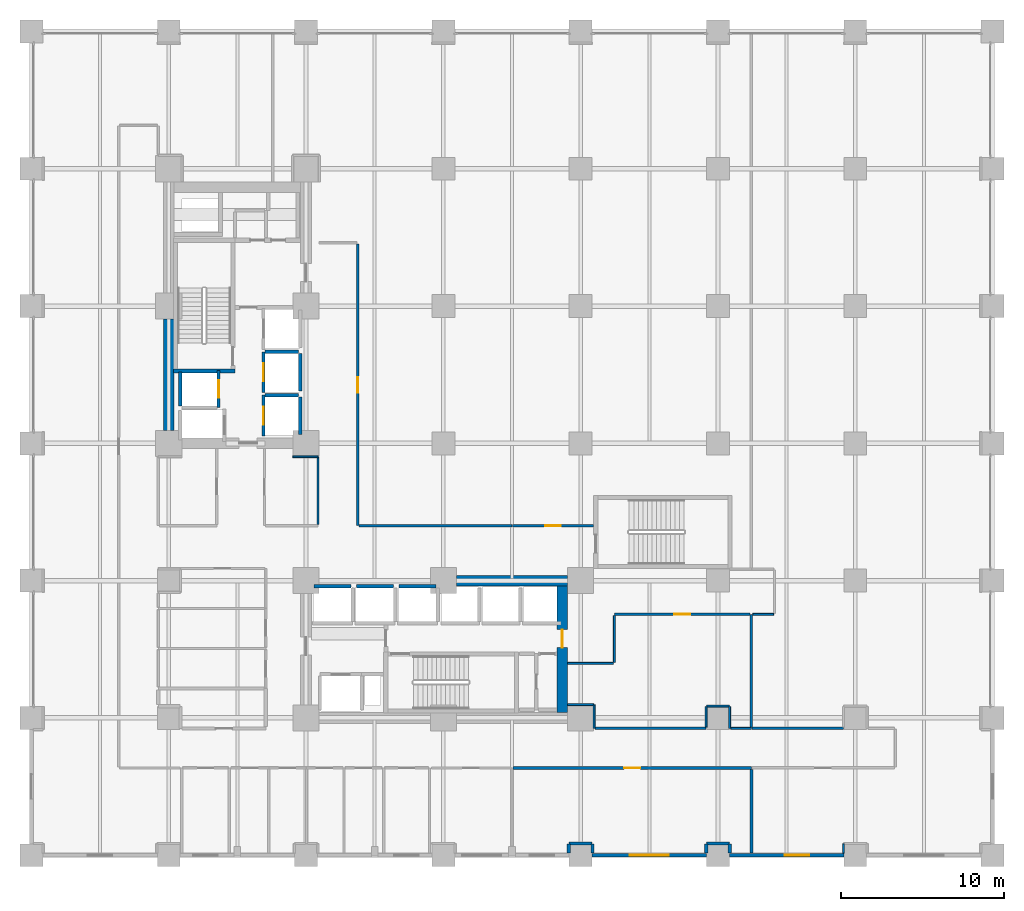
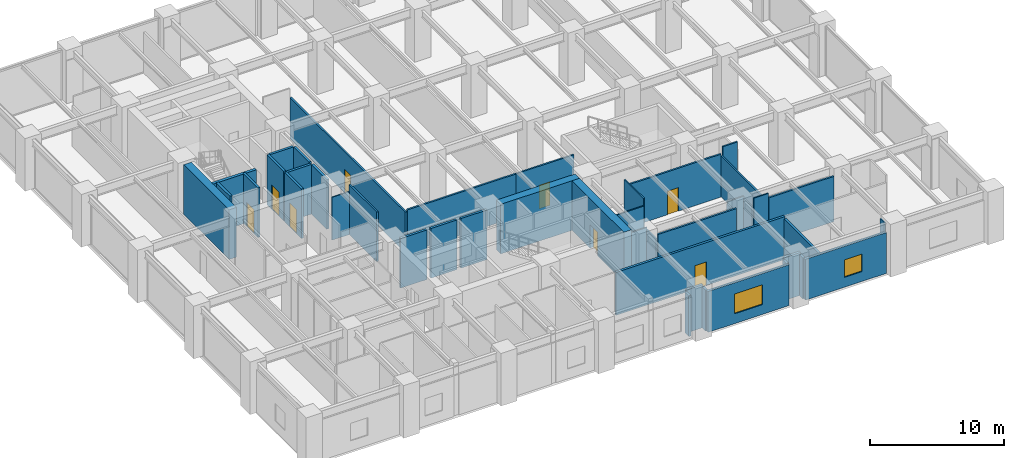
# One storey, part 21 of 24: 44 walls, 8 doors, 2 windows, 10 openings.
"""IFC4 building model written with IfcOpenShell, lengths in metres."""

from ifc_helpers import new_model, si_unit, direction, frame, frame_2d, origin, place, context, subcontext, project, spatial, rectangle, extrude, material, layer, layer_set, type_object, element, fill, save


model = new_model("IFC4")

# Units and contexts
model_context = context("Model", 3, precision=1e-05, world=origin(), true_north=direction((0.0, 1.0)))
body_context = subcontext(model_context, "Body", "Model", "MODEL_VIEW")
ifc_project = project(units=[si_unit("LENGTHUNIT", "METRE"), si_unit("AREAUNIT", "SQUARE_METRE"), si_unit("VOLUMEUNIT", "CUBIC_METRE"), si_unit("PLANEANGLEUNIT", "RADIAN"), si_unit("MASSUNIT", "GRAM", prefix="KILO")], contexts=[model_context])

# Site, building, storey
site_placement = place(None, origin())
site = spatial("IfcSite", under=ifc_project, at=site_placement, CompositionType="ELEMENT")
building_placement = place(site_placement, origin())
building = spatial("IfcBuilding", under=site, at=building_placement, Name="Nerrivon Quay Data Exchange", CompositionType="ELEMENT")
storey_placement = place(building_placement, frame((0.0, 0.0, 10.199951171875)))
storey = spatial("IfcBuildingStorey", under=building, at=storey_placement, Name="L02", CompositionType="ELEMENT", Elevation=10.199951171875)

# Wall, opening, window
ifc_material_1 = material(Name="Architectural terracotta precast concrete N50 (50 MPa)", Category="masonry")
ifc_layer_1 = layer(ifc_material_1, 0.239990234375)
ifc_layer_set_1 = layer_set([ifc_layer_1], Name="Architectural terracotta precast concrete N50 (50 MPa)")
wall_type_1 = type_object("IfcWallType", Name="EW-PREC-240", PredefinedType="STANDARD", material=ifc_layer_set_1)
wall_1_placement = place(storey_placement, frame((49.699951171875, 0.0, 0.0), z_axis=(0.0, 0.0, 1.0), x_axis=(-1.0, 0.0, 0.0)))
wall_1 = element("IfcWall", 1, at=wall_1_placement, inside=storey, type_object=wall_type_1, Name="L02 Podium Precast Spandrel Wall 21", PredefinedType="STANDARD", context=body_context, shape_type="SweptSolid", body=[
    extrude(rectangle(XDim=7.0, YDim=0.239990234375, at=frame_2d((3.5, 0.0))), origin(), (0.0, 0.0, 1.0), 3.72509765625),
])
opening_1_placement = place(wall_1_placement, frame((2.110107421875, 0.0, 0.89990234375)))
opening_1 = element("IfcOpeningElement", 2, at=opening_1_placement, cuts=wall_1, Name="Opening WN4", PredefinedType="OPENING", context=body_context, shape_type="SweptSolid", body=[
    extrude(rectangle(XDim=1.5, YDim=1.60009765625, at=frame_2d((0.75, 0.800048828125))), frame((0.0, 0.1298828125, 0.0), z_axis=(0.0, -1.0, 0.0), x_axis=(1.0, 0.0, 0.0)), (0.0, 0.0, 1.0), 0.260009765625),
])
ifc_material_2 = material(Name="Double-glazed low-E solar control glass", Category="glass")
window_type_1 = type_object("IfcWindowType", Name="WIN-W4-1500x1600", PartitioningType="SINGLE_PANEL", PredefinedType="WINDOW", material=ifc_material_2)
window_1_placement = place(opening_1_placement, origin())
window_1 = element("IfcWindow", 3, at=window_1_placement, inside=storey, type_object=window_type_1, Name="L02 Solar Facade Window 21", OverallHeight=1.60009765625, OverallWidth=1.5, PartitioningType="SINGLE_PANEL", PredefinedType="WINDOW", context=body_context, shape_type="SweptSolid", body=[
    extrude(rectangle(XDim=1.5, YDim=1.60009765625, at=frame_2d((0.75, 0.800048828125))), frame((0.0, 0.030029296875, 0.0), z_axis=(0.0, -1.0, 0.0), x_axis=(1.0, 0.0, 0.0)), (0.0, 0.0, 1.0), 0.06005859375),
])
fill(opening_1, window_1)

wall_2_placement = place(storey_placement, frame((41.300048828125, 0.0, 0.0), z_axis=(0.0, 0.0, 1.0), x_axis=(-1.0, 0.0, 0.0)))
wall_2 = element("IfcWall", 4, at=wall_2_placement, inside=storey, type_object=wall_type_1, Name="L02 Podium Precast Spandrel Wall 22", PredefinedType="STANDARD", context=body_context, shape_type="SweptSolid", body=[
    extrude(rectangle(XDim=7.0, YDim=0.239990234375, at=frame_2d((3.5, 0.0))), origin(), (0.0, 0.0, 1.0), 3.72509765625),
])
opening_2_placement = place(wall_2_placement, frame((2.300048828125, 0.0, 0.89990234375)))
opening_2 = element("IfcOpeningElement", 5, at=opening_2_placement, cuts=wall_2, Name="Opening WN1", PredefinedType="OPENING", context=body_context, shape_type="SweptSolid", body=[
    extrude(rectangle(XDim=2.39990234375, YDim=1.800048828125, at=frame_2d((1.199951171875, 0.89990234375))), frame((0.0, 0.1298828125, 0.0), z_axis=(0.0, -1.0, 0.0), x_axis=(1.0, 0.0, 0.0)), (0.0, 0.0, 1.0), 0.260009765625),
])
window_type_2 = type_object("IfcWindowType", Name="WIN-W1-2400x1800", PartitioningType="SINGLE_PANEL", PredefinedType="WINDOW", material=ifc_material_2)
window_2_placement = place(opening_2_placement, origin())
window_2 = element("IfcWindow", 6, at=window_2_placement, inside=storey, type_object=window_type_2, Name="L02 Solar Facade Window 22", OverallHeight=1.800048828125, OverallWidth=2.39990234375, PartitioningType="SINGLE_PANEL", PredefinedType="WINDOW", context=body_context, shape_type="SweptSolid", body=[
    extrude(rectangle(XDim=2.39990234375, YDim=1.800048828125, at=frame_2d((1.199951171875, 0.89990234375))), frame((0.0, 0.030029296875, 0.0), z_axis=(0.0, -1.0, 0.0), x_axis=(1.0, 0.0, 0.0)), (0.0, 0.0, 1.0), 0.06005859375),
])
fill(opening_2, window_2)

# Wall
ifc_material_3 = material(Name="Concrete N80 (80 MPa)", Category="concrete")
ifc_layer_2 = layer(ifc_material_3, 0.64990234375)
ifc_layer_set_2 = layer_set([ifc_layer_2], Name="Concrete N80 (80 MPa)")
wall_type_2 = type_object("IfcWallType", Name="WALL-CW-850", PredefinedType="SHEAR", material=ifc_layer_set_2)
wall_3_placement = place(storey_placement, frame((8.39990234375, 26.0, 0.0), z_axis=(0.0, 0.0, 1.0), x_axis=(0.0, 1.0, 0.0)))
element("IfcWall", 7, at=wall_3_placement, inside=storey, type_object=wall_type_2, Name="L02 West Split-Core Shear Wall WCW-W1", PredefinedType="SHEAR", context=body_context, shape_type="SweptSolid", body=[
    extrude(rectangle(XDim=6.800048828125, YDim=0.64990234375, at=frame_2d((3.39990234375, 0.0))), origin(), (0.0, 0.0, 1.0), 4.525146484375),
])

# Wall, opening, door
wall_4_placement = place(storey_placement, frame((32.47509765625, 8.72509765625, 0.0), z_axis=(0.0, 0.0, 1.0), x_axis=(0.0, 1.0, 0.0)))
wall_4 = element("IfcWall", 8, at=wall_4_placement, inside=storey, type_object=wall_type_2, Name="L02 East Split-Core Shear Wall ECW-E1", PredefinedType="SHEAR", context=body_context, shape_type="SweptSolid", body=[
    extrude(rectangle(XDim=7.75, YDim=0.64990234375, at=frame_2d((3.875, 0.0))), origin(), (0.0, 0.0, 1.0), 4.525146484375),
])
opening_3_placement = place(wall_4_placement, frame((3.97509765625, 0.0, 0.0)))
opening_3 = element("IfcOpeningElement", 9, at=opening_3_placement, cuts=wall_4, Name="Opening FD-120", PredefinedType="OPENING", context=body_context, shape_type="SweptSolid", body=[
    extrude(rectangle(XDim=1.10009765625, YDim=2.14990234375, at=frame_2d((0.550048828125, 1.074951171875))), frame((0.0, 0.3349609375, 0.0), z_axis=(0.0, -1.0, 0.0), x_axis=(1.0, 0.0, 0.0)), (0.0, 0.0, 1.0), 0.669921875),
])
ifc_material_4 = material(Name="Powder-coated galvanized steel sheet", Category="steel")
door_type_1 = type_object("IfcDoorType", Name="DR-FD120-1100", OperationType="NOTDEFINED", PredefinedType="DOOR", material=ifc_material_4)
door_1_placement = place(opening_3_placement, origin())
door_1 = element("IfcDoor", 10, at=door_1_placement, inside=storey, type_object=door_type_1, Name="L02 East Core Lobby Fire Door", OperationType="SINGLE_SWING_RIGHT", OverallHeight=2.14990234375, OverallWidth=1.10009765625, PredefinedType="DOOR", context=body_context, shape_type="SweptSolid", body=[
    extrude(rectangle(XDim=1.10009765625, YDim=2.14990234375, at=frame_2d((0.550048828125, 1.074951171875))), frame((0.0, 0.02490234375, 0.0), z_axis=(0.0, -1.0, 0.0), x_axis=(1.0, 0.0, 0.0)), (0.0, 0.0, 1.0), 0.050048828125),
])
fill(opening_3, door_1)

# Wall
wall_5_placement = place(storey_placement, frame((26.0, 16.800048828125, 0.0), z_axis=(0.0, 0.0, 1.0), x_axis=(1.0, 0.0, 0.0)))
element("IfcWall", 11, at=wall_5_placement, inside=storey, type_object=wall_type_2, Name="L02 East Split-Core Shear Wall ECW-N1", PredefinedType="SHEAR", context=body_context, shape_type="SweptSolid", body=[
    extrude(rectangle(XDim=6.800048828125, YDim=0.64990234375, at=frame_2d((3.39990234375, 0.0))), origin(), (0.0, 0.0, 1.0), 4.525146484375),
])

# Wall, opening, door
ifc_material_5 = material(Name="Gypsum plasterboard on cold-formed framing", Category="gypsum")
ifc_layer_3 = layer(ifc_material_5, 0.199951171875)
ifc_layer_set_3 = layer_set([ifc_layer_3], Name="Gypsum plasterboard on cold-formed framing")
wall_type_3 = type_object("IfcWallType", Name="WALL-FW-200", PredefinedType="PARTITIONING", material=ifc_layer_set_3)
wall_6_placement = place(storey_placement, frame((11.449951171875, 27.39990234375, 0.0), z_axis=(0.0, 0.0, 1.0), x_axis=(0.0, 1.0, 0.0)))
wall_6 = element("IfcWall", 12, at=wall_6_placement, inside=storey, type_object=wall_type_3, Name="L02 Lift Front Wall FFL-1", PredefinedType="PARTITIONING", context=body_context, shape_type="SweptSolid", body=[
    extrude(rectangle(XDim=2.25, YDim=0.199951171875, at=frame_2d((1.125, 0.0))), origin(), (0.0, 0.0, 1.0), 4.525146484375),
])
opening_4_placement = place(wall_6_placement, frame((0.574951171875, 0.0, 0.0)))
opening_4 = element("IfcOpeningElement", 13, at=opening_4_placement, cuts=wall_6, Name="Opening LD-120", PredefinedType="OPENING", context=body_context, shape_type="SweptSolid", body=[
    extrude(rectangle(XDim=1.10009765625, YDim=2.199951171875, at=frame_2d((0.550048828125, 1.10009765625))), frame((0.0, 0.10986328125, 0.0), z_axis=(0.0, -1.0, 0.0), x_axis=(1.0, 0.0, 0.0)), (0.0, 0.0, 1.0), 0.219970703125),
])
door_type_2 = type_object("IfcDoorType", Name="DR-LIFT-LD120", OperationType="DOUBLE_DOOR_SLIDING", PredefinedType="DOOR", material=ifc_material_4)
door_2_placement = place(opening_4_placement, origin())
door_2 = element("IfcDoor", 14, at=door_2_placement, inside=storey, type_object=door_type_2, Name="L02 Lift Landing Sliding Door FFL-1", OperationType="DOUBLE_DOOR_SLIDING", OverallHeight=2.199951171875, OverallWidth=1.10009765625, PredefinedType="DOOR", context=body_context, shape_type="SweptSolid", body=[
    extrude(rectangle(XDim=1.10009765625, YDim=2.199951171875, at=frame_2d((0.550048828125, 1.10009765625))), frame((0.0, 0.02490234375, 0.0), z_axis=(0.0, -1.0, 0.0), x_axis=(1.0, 0.0, 0.0)), (0.0, 0.0, 1.0), 0.050048828125),
])
fill(opening_4, door_2)

# Wall
wall_7_placement = place(storey_placement, frame((9.10009765625, 27.5, 0.0), z_axis=(0.0, 0.0, 1.0), x_axis=(0.0, 1.0, 0.0)))
element("IfcWall", 15, at=wall_7_placement, inside=storey, type_object=wall_type_3, Name="L02 Lift Shaft Wall FFL-1 WEST", PredefinedType="PARTITIONING", context=body_context, shape_type="SweptSolid", body=[
    extrude(rectangle(XDim=2.050048828125, YDim=0.199951171875, at=frame_2d((1.02490234375, 0.0))), origin(), (0.0, 0.0, 1.0), 4.525146484375),
])

# Wall, opening, door
wall_8_placement = place(storey_placement, frame((14.199951171875, 25.64990234375, 0.0), z_axis=(0.0, 0.0, 1.0), x_axis=(0.0, 1.0, 0.0)))
wall_8 = element("IfcWall", 16, at=wall_8_placement, inside=storey, type_object=wall_type_3, Name="L02 Lift Front Wall PL1", PredefinedType="PARTITIONING", context=body_context, shape_type="SweptSolid", body=[
    extrude(rectangle(XDim=2.5, YDim=0.199951171875, at=frame_2d((1.25, 0.0))), origin(), (0.0, 0.0, 1.0), 4.525146484375),
])
opening_5_placement = place(wall_8_placement, frame((0.699951171875, 0.0, 0.0)))
opening_5 = element("IfcOpeningElement", 17, at=opening_5_placement, cuts=wall_8, Name="Opening LD-120", PredefinedType="OPENING", context=body_context, shape_type="SweptSolid", body=[
    extrude(rectangle(XDim=1.10009765625, YDim=2.199951171875, at=frame_2d((0.550048828125, 1.10009765625))), frame((0.0, 0.10986328125, 0.0), z_axis=(0.0, -1.0, 0.0), x_axis=(1.0, 0.0, 0.0)), (0.0, 0.0, 1.0), 0.219970703125),
])
door_3_placement = place(opening_5_placement, origin())
door_3 = element("IfcDoor", 18, at=door_3_placement, inside=storey, type_object=door_type_2, Name="L02 Lift Landing Sliding Door PL1", OperationType="DOUBLE_DOOR_SLIDING", OverallHeight=2.199951171875, OverallWidth=1.10009765625, PredefinedType="DOOR", context=body_context, shape_type="SweptSolid", body=[
    extrude(rectangle(XDim=1.10009765625, YDim=2.199951171875, at=frame_2d((0.550048828125, 1.10009765625))), frame((0.0, 0.02490234375, 0.0), z_axis=(0.0, -1.0, 0.0), x_axis=(1.0, 0.0, 0.0)), (0.0, 0.0, 1.0), 0.050048828125),
])
fill(opening_5, door_3)

# Walls
wall_9_placement = place(storey_placement, frame((16.449951171875, 25.75, 0.0), z_axis=(0.0, 0.0, 1.0), x_axis=(0.0, 1.0, 0.0)))
element("IfcWall", 19, at=wall_9_placement, inside=storey, type_object=wall_type_3, Name="L02 Lift Shaft Wall PL1 EAST", PredefinedType="PARTITIONING", context=body_context, shape_type="SweptSolid", body=[
    extrude(rectangle(XDim=2.300048828125, YDim=0.199951171875, at=frame_2d((1.14990234375, 0.0))), origin(), (0.0, 0.0, 1.0), 4.525146484375),
])
wall_10_placement = place(storey_placement, frame((14.300048828125, 28.14990234375, 0.0), z_axis=(0.0, 0.0, 1.0), x_axis=(1.0, 0.0, 0.0)))
element("IfcWall", 20, at=wall_10_placement, inside=storey, type_object=wall_type_3, Name="L02 Lift Shaft Wall PL1 NORTH", PredefinedType="PARTITIONING", context=body_context, shape_type="SweptSolid", body=[
    extrude(rectangle(XDim=2.050048828125, YDim=0.199951171875, at=frame_2d((1.02490234375, 0.0))), origin(), (0.0, 0.0, 1.0), 4.525146484375),
])

# Wall, opening, door
wall_11_placement = place(storey_placement, frame((14.199951171875, 28.300048828125, 0.0), z_axis=(0.0, 0.0, 1.0), x_axis=(0.0, 1.0, 0.0)))
wall_11 = element("IfcWall", 21, at=wall_11_placement, inside=storey, type_object=wall_type_3, Name="L02 Lift Front Wall PL2", PredefinedType="PARTITIONING", context=body_context, shape_type="SweptSolid", body=[
    extrude(rectangle(XDim=2.5, YDim=0.199951171875, at=frame_2d((1.25, 0.0))), origin(), (0.0, 0.0, 1.0), 4.525146484375),
])
opening_6_placement = place(wall_11_placement, frame((0.699951171875, 0.0, 0.0)))
opening_6 = element("IfcOpeningElement", 22, at=opening_6_placement, cuts=wall_11, Name="Opening LD-120", PredefinedType="OPENING", context=body_context, shape_type="SweptSolid", body=[
    extrude(rectangle(XDim=1.10009765625, YDim=2.199951171875, at=frame_2d((0.550048828125, 1.10009765625))), frame((0.0, 0.10986328125, 0.0), z_axis=(0.0, -1.0, 0.0), x_axis=(1.0, 0.0, 0.0)), (0.0, 0.0, 1.0), 0.219970703125),
])
door_4_placement = place(opening_6_placement, origin())
door_4 = element("IfcDoor", 23, at=door_4_placement, inside=storey, type_object=door_type_2, Name="L02 Lift Landing Sliding Door PL2", OperationType="DOUBLE_DOOR_SLIDING", OverallHeight=2.199951171875, OverallWidth=1.10009765625, PredefinedType="DOOR", context=body_context, shape_type="SweptSolid", body=[
    extrude(rectangle(XDim=1.10009765625, YDim=2.199951171875, at=frame_2d((0.550048828125, 1.10009765625))), frame((0.0, 0.02490234375, 0.0), z_axis=(0.0, -1.0, 0.0), x_axis=(1.0, 0.0, 0.0)), (0.0, 0.0, 1.0), 0.050048828125),
])
fill(opening_6, door_4)

# Walls
wall_12_placement = place(storey_placement, frame((16.449951171875, 28.39990234375, 0.0), z_axis=(0.0, 0.0, 1.0), x_axis=(0.0, 1.0, 0.0)))
element("IfcWall", 24, at=wall_12_placement, inside=storey, type_object=wall_type_3, Name="L02 Lift Shaft Wall PL2 EAST", PredefinedType="PARTITIONING", context=body_context, shape_type="SweptSolid", body=[
    extrude(rectangle(XDim=2.300048828125, YDim=0.199951171875, at=frame_2d((1.14990234375, 0.0))), origin(), (0.0, 0.0, 1.0), 4.525146484375),
])
wall_13_placement = place(storey_placement, frame((14.300048828125, 30.800048828125, 0.0), z_axis=(0.0, 0.0, 1.0), x_axis=(1.0, 0.0, 0.0)))
element("IfcWall", 25, at=wall_13_placement, inside=storey, type_object=wall_type_3, Name="L02 Lift Shaft Wall PL2 NORTH", PredefinedType="PARTITIONING", context=body_context, shape_type="SweptSolid", body=[
    extrude(rectangle(XDim=2.050048828125, YDim=0.199951171875, at=frame_2d((1.02490234375, 0.0))), origin(), (0.0, 0.0, 1.0), 4.525146484375),
])
for number, where, z_axis, x_axis, name in (
    (26, (17.300048828125, 16.449951171875, 0.0), (0.0, 0.0, 1.0), (1.0, 0.0, 0.0), "L02 Lift Shaft Wall PL4 NORTH"),
    (27, (19.89990234375, 16.449951171875, 0.0), (0.0, 0.0, 1.0), (1.0, 0.0, 0.0), "L02 Lift Shaft Wall PL5 NORTH"),
    (28, (22.5, 16.449951171875, 0.0), (0.0, 0.0, 1.0), (1.0, 0.0, 0.0), "L02 Lift Shaft Wall PL6 NORTH"),
):
    element("IfcWall", number, at=place(storey_placement, frame(where, z_axis=z_axis, x_axis=x_axis)), inside=storey, type_object=wall_type_3, Name=name, PredefinedType="PARTITIONING", context=body_context, shape_type="SweptSolid", body=[
        extrude(rectangle(XDim=2.25, YDim=0.199951171875, at=frame_2d((1.125, 0.0))), origin(), (0.0, 0.0, 1.0), 4.525146484375),
    ])

# Wall, opening, door
wall_14_placement = place(storey_placement, frame((44.050048828125, 5.340087890625, 0.0), z_axis=(0.0, 0.0, 1.0), x_axis=(-1.0, 0.0, 0.0)))
wall_14 = element("IfcWall", 29, at=wall_14_placement, inside=storey, type_object=wall_type_3, Name="L02 Partition Colocation Data Workspace 1 12", PredefinedType="PARTITIONING", context=body_context, shape_type="SweptSolid", body=[
    extrude(rectangle(XDim=14.57861328125, YDim=0.199951171875, at=frame_2d((7.289306640625, 0.0))), origin(), (0.0, 0.0, 1.0), 3.9130859375),
])
opening_7_placement = place(wall_14_placement, frame((6.789306640625, 0.0, 0.0)))
opening_7 = element("IfcOpeningElement", 30, at=opening_7_placement, cuts=wall_14, Name="Opening FD-60", PredefinedType="OPENING", context=body_context, shape_type="SweptSolid", body=[
    extrude(rectangle(XDim=1.0, YDim=2.14990234375, at=frame_2d((0.5, 1.074951171875))), frame((0.0, 0.10986328125, 0.0), z_axis=(0.0, -1.0, 0.0), x_axis=(1.0, 0.0, 0.0)), (0.0, 0.0, 1.0), 0.219970703125),
])
ifc_material_6 = material(Name="Engineered hardwood timber", Category="wood")
door_type_3 = type_object("IfcDoorType", Name="DR-FD60-1000", OperationType="NOTDEFINED", PredefinedType="DOOR", material=ifc_material_6)
door_5_placement = place(opening_7_placement, origin())
door_5 = element("IfcDoor", 31, at=door_5_placement, inside=storey, type_object=door_type_3, Name="L02 Door Colocation Data Workspace 1 12", OperationType="SINGLE_SWING_RIGHT", OverallHeight=2.14990234375, OverallWidth=1.0, PredefinedType="DOOR", context=body_context, shape_type="SweptSolid", body=[
    extrude(rectangle(XDim=1.0, YDim=2.14990234375, at=frame_2d((0.5, 1.074951171875))), frame((0.0, 0.02490234375, 0.0), z_axis=(0.0, -1.0, 0.0), x_axis=(1.0, 0.0, 0.0)), (0.0, 0.0, 1.0), 0.050048828125),
])
fill(opening_7, door_5)

# Walls
wall_15_placement = place(storey_placement, frame((32.8798828125, 0.1240234375, 0.0), z_axis=(0.0, 0.0, 1.0), x_axis=(0.0, 1.0, 0.0)))
element("IfcWall", 32, at=wall_15_placement, inside=storey, type_object=wall_type_3, Name="L02 Partition Colocation Data Workspace 1 12", PredefinedType="PARTITIONING", context=body_context, shape_type="SweptSolid", body=[
    extrude(rectangle(XDim=0.575927734375, YDim=0.199951171875, at=frame_2d((0.2880859375, 0.0))), origin(), (0.0, 0.0, 1.0), 3.72509765625),
])
wall_16_placement = place(storey_placement, frame((32.89990234375, 0.719970703125, 0.0), z_axis=(0.0, 0.0, 1.0), x_axis=(1.0, 0.0, 0.0)))
element("IfcWall", 33, at=wall_16_placement, inside=storey, type_object=wall_type_3, Name="L02 Partition Colocation Data Workspace 1 12", PredefinedType="PARTITIONING", context=body_context, shape_type="SweptSolid", body=[
    extrude(rectangle(XDim=1.400146484375, YDim=0.199951171875, at=frame_2d((0.7001953125, 0.0))), origin(), (0.0, 0.0, 1.0), 3.9130859375),
])
for number, where, z_axis, x_axis, name in (
    (34, (34.320068359375, 0.699951171875, 0.0), (0.0, 0.0, 1.0), (0.0, -1.0, 0.0), "L02 Partition Colocation Data Workspace 1 12"),
    (35, (41.280029296875, 0.1240234375, 0.0), (0.0, 0.0, 1.0), (0.0, 1.0, 0.0), "L02 Partition Colocation Data Workspace 1 12"),
):
    element("IfcWall", number, at=place(storey_placement, frame(where, z_axis=z_axis, x_axis=x_axis)), inside=storey, type_object=wall_type_3, Name=name, PredefinedType="PARTITIONING", context=body_context, shape_type="SweptSolid", body=[
        extrude(rectangle(XDim=0.575927734375, YDim=0.199951171875, at=frame_2d((0.2880859375, 0.0))), origin(), (0.0, 0.0, 1.0), 3.72509765625),
    ])
wall_17_placement = place(storey_placement, frame((41.300048828125, 0.719970703125, 0.0), z_axis=(0.0, 0.0, 1.0), x_axis=(1.0, 0.0, 0.0)))
element("IfcWall", 36, at=wall_17_placement, inside=storey, type_object=wall_type_3, Name="L02 Partition Colocation Data Workspace 1 12", PredefinedType="PARTITIONING", context=body_context, shape_type="SweptSolid", body=[
    extrude(rectangle(XDim=1.39990234375, YDim=0.199951171875, at=frame_2d((0.699951171875, 0.0))), origin(), (0.0, 0.0, 1.0), 3.9130859375),
])
wall_18_placement = place(storey_placement, frame((42.719970703125, 0.699951171875, 0.0), z_axis=(0.0, 0.0, 1.0), x_axis=(0.0, -1.0, 0.0)))
element("IfcWall", 37, at=wall_18_placement, inside=storey, type_object=wall_type_3, Name="L02 Partition Colocation Data Workspace 1 12", PredefinedType="PARTITIONING", context=body_context, shape_type="SweptSolid", body=[
    extrude(rectangle(XDim=0.575927734375, YDim=0.199951171875, at=frame_2d((0.2880859375, 0.0))), origin(), (0.0, 0.0, 1.0), 3.72509765625),
])
wall_19_placement = place(storey_placement, frame((44.050048828125, 0.1240234375, 0.0), z_axis=(0.0, 0.0, 1.0), x_axis=(0.0, 1.0, 0.0)))
element("IfcWall", 38, at=wall_19_placement, inside=storey, type_object=wall_type_3, Name="L02 Partition Colocation Data Workspace 1 12", PredefinedType="PARTITIONING", context=body_context, shape_type="SweptSolid", body=[
    extrude(rectangle(XDim=5.112060546875, YDim=0.199951171875, at=frame_2d((2.55615234375, 0.0))), origin(), (0.0, 0.0, 1.0), 3.72509765625),
])
ifc_layer_4 = layer(ifc_material_5, 0.1201171875)
ifc_layer_set_4 = layer_set([ifc_layer_4], Name="Gypsum plasterboard on cold-formed framing")
wall_type_4 = type_object("IfcWallType", Name="WALL-PT-120", PredefinedType="PARTITIONING", material=ifc_layer_set_4)
wall_20_placement = place(storey_placement, frame((17.5400390625, 24.3798828125, 0.0), z_axis=(0.0, 0.0, 1.0), x_axis=(-0.99999980047, 0.000631711813, 0.0)))
element("IfcWall", 39, at=wall_20_placement, inside=storey, type_object=wall_type_4, Name="L02 Partition Exchange Gallery Auditorium 9", PredefinedType="PARTITIONING", context=body_context, shape_type="SweptSolid", body=[
    extrude(rectangle(XDim=1.5458984375, YDim=0.1201171875, at=frame_2d((0.77294921875, 0.0))), origin(), (0.0, 0.0, 1.0), 3.9130859375),
])
wall_21_placement = place(storey_placement, frame((32.803955078125, 9.219970703125, 0.0), z_axis=(0.0, 0.0, 1.0), x_axis=(1.0, 0.0, 0.0)))
element("IfcWall", 40, at=wall_21_placement, inside=storey, type_object=wall_type_4, Name="L02 Partition Executive Boardroom 11", PredefinedType="PARTITIONING", context=body_context, shape_type="SweptSolid", body=[
    extrude(rectangle(XDim=1.595947265625, YDim=0.1201171875, at=frame_2d((0.7978515625, 0.0))), origin(), (0.0, 0.0, 1.0), 3.9130859375),
])
wall_22_placement = place(storey_placement, frame((34.419921875, 9.199951171875, 0.0), z_axis=(0.0, 0.0, 1.0), x_axis=(0.0, -1.0, 0.0)))
element("IfcWall", 41, at=wall_22_placement, inside=storey, type_object=wall_type_4, Name="L02 Partition Executive Boardroom 11", PredefinedType="PARTITIONING", context=body_context, shape_type="SweptSolid", body=[
    extrude(rectangle(XDim=1.43994140625, YDim=0.1201171875, at=frame_2d((0.719970703125, 0.0))), origin(), (0.0, 0.0, 1.0), 3.72509765625),
])
wall_23_placement = place(storey_placement, frame((41.280029296875, 7.839111328125, 0.0), z_axis=(0.0, 0.0, 1.0), x_axis=(0.0, 1.0, 0.0)))
element("IfcWall", 42, at=wall_23_placement, inside=storey, type_object=wall_type_4, Name="L02 Partition Executive Boardroom 11", PredefinedType="PARTITIONING", context=body_context, shape_type="SweptSolid", body=[
    extrude(rectangle(XDim=1.260986328125, YDim=0.1201171875, at=frame_2d((0.63037109375, 0.0))), origin(), (0.0, 0.0, 1.0), 3.72509765625),
])
wall_24_placement = place(storey_placement, frame((41.300048828125, 9.1201171875, 0.0), z_axis=(0.0, 0.0, 1.0), x_axis=(1.0, 0.0, 0.0)))
element("IfcWall", 43, at=wall_24_placement, inside=storey, type_object=wall_type_4, Name="L02 Partition Executive Boardroom 11", PredefinedType="PARTITIONING", context=body_context, shape_type="SweptSolid", body=[
    extrude(rectangle(XDim=1.39990234375, YDim=0.1201171875, at=frame_2d((0.699951171875, 0.0))), origin(), (0.0, 0.0, 1.0), 3.9130859375),
])
wall_25_placement = place(storey_placement, frame((42.719970703125, 9.10009765625, 0.0), z_axis=(0.0, 0.0, 1.0), x_axis=(0.0, -1.0, 0.0)))
element("IfcWall", 44, at=wall_25_placement, inside=storey, type_object=wall_type_4, Name="L02 Partition Executive Boardroom 11", PredefinedType="PARTITIONING", context=body_context, shape_type="SweptSolid", body=[
    extrude(rectangle(XDim=1.340087890625, YDim=0.1201171875, at=frame_2d((0.669921875, 0.0))), origin(), (0.0, 0.0, 1.0), 3.72509765625),
])
wall_26_placement = place(storey_placement, frame((42.783935546875, 7.760009765625, 0.0), z_axis=(0.0, 0.0, 1.0), x_axis=(1.0, 0.0, 0.0)))
element("IfcWall", 45, at=wall_26_placement, inside=storey, type_object=wall_type_4, Name="L02 Partition Executive Boardroom 11", PredefinedType="PARTITIONING", context=body_context, shape_type="SweptSolid", body=[
    extrude(rectangle(XDim=1.26611328125, YDim=0.1201171875, at=frame_2d((0.633056640625, 0.0))), origin(), (0.0, 0.0, 1.0), 4.525146484375),
])
wall_27_placement = place(storey_placement, frame((35.659912109375, 14.660888671875, 0.0), z_axis=(0.0, 0.0, 1.0), x_axis=(0.0, -1.0, 0.0)))
element("IfcWall", 46, at=wall_27_placement, inside=storey, type_object=wall_type_4, Name="L02 Partition Executive Boardroom 11", PredefinedType="PARTITIONING", context=body_context, shape_type="SweptSolid", body=[
    extrude(rectangle(XDim=2.86083984375, YDim=0.1201171875, at=frame_2d((1.430419921875, 0.0))), origin(), (0.0, 0.0, 1.0), 4.525146484375),
])
wall_28_placement = place(storey_placement, frame((35.60009765625, 11.739990234375, 0.0), z_axis=(0.0, 0.0, 1.0), x_axis=(-1.0, 0.0, 0.0)))
element("IfcWall", 47, at=wall_28_placement, inside=storey, type_object=wall_type_4, Name="L02 Partition Executive Boardroom 11", PredefinedType="PARTITIONING", context=body_context, shape_type="SweptSolid", body=[
    extrude(rectangle(XDim=2.796142578125, YDim=0.1201171875, at=frame_2d((1.39794921875, 0.0))), origin(), (0.0, 0.0, 1.0), 3.9130859375),
])
wall_29_placement = place(storey_placement, frame((49.679931640625, 0.1240234375, 0.0), z_axis=(0.0, 0.0, 1.0), x_axis=(0.0, 1.0, 0.0)))
element("IfcWall", 48, at=wall_29_placement, inside=storey, type_object=wall_type_4, Name="L02 Partition Exchange Gallery Auditorium 16", PredefinedType="PARTITIONING", context=body_context, shape_type="SweptSolid", body=[
    extrude(rectangle(XDim=0.575927734375, YDim=0.1201171875, at=frame_2d((0.2880859375, 0.0))), origin(), (0.0, 0.0, 1.0), 4.525146484375),
])
wall_30_placement = place(storey_placement, frame((45.39990234375, 14.739990234375, 0.0), z_axis=(0.0, 0.0, 1.0), x_axis=(-1.0, 0.0, 0.0)))
element("IfcWall", 49, at=wall_30_placement, inside=storey, type_object=wall_type_4, Name="L02 Partition Exchange Gallery Auditorium 16", PredefinedType="PARTITIONING", context=body_context, shape_type="SweptSolid", body=[
    extrude(rectangle(XDim=1.27099609375, YDim=0.1201171875, at=frame_2d((0.635498046875, 0.0))), origin(), (0.0, 0.0, 1.0), 4.525146484375),
])
ifc_layer_5 = layer(ifc_material_5, 0.135009765625)
ifc_layer_set_5 = layer_set([ifc_layer_5], Name="Gypsum plasterboard on cold-formed framing")
wall_type_5 = type_object("IfcWallType", Name="WALL-PT-135", PredefinedType="PARTITIONING", material=ifc_layer_set_5)
wall_31_placement = place(storey_placement, frame((17.5400390625, 20.2314453125, 0.0), z_axis=(0.0, 0.0, 1.0), x_axis=(0.0, 1.0, 0.0)))
element("IfcWall", 50, at=wall_31_placement, inside=storey, type_object=wall_type_5, Name="L02 Partition Exchange Gallery Auditorium 9", PredefinedType="PARTITIONING", context=body_context, shape_type="SweptSolid", body=[
    extrude(rectangle(XDim=4.1484375, YDim=0.135009765625, at=frame_2d((2.07421875, 0.0))), origin(), (0.0, 0.0, 1.0), 4.525146484375),
])

# Wall, opening, door
wall_32_placement = place(storey_placement, frame((29.419921875, 20.159912109375, 0.0), z_axis=(0.0, 0.0, 1.0), x_axis=(1.0, 0.0, 0.0)))
wall_32 = element("IfcWall", 51, at=wall_32_placement, inside=storey, type_object=wall_type_5, Name="L02 Partition Staff Pantry 15", PredefinedType="PARTITIONING", context=body_context, shape_type="SweptSolid", body=[
    extrude(rectangle(XDim=4.97607421875, YDim=0.135009765625, at=frame_2d((2.488037109375, 0.0))), origin(), (0.0, 0.0, 1.0), 3.9130859375),
])
opening_8_placement = place(wall_32_placement, frame((2.012939453125, 0.0, 0.0)))
opening_8 = element("IfcOpeningElement", 52, at=opening_8_placement, cuts=wall_32, Name="Opening D-01", PredefinedType="OPENING", context=body_context, shape_type="SweptSolid", body=[
    extrude(rectangle(XDim=0.949951171875, YDim=2.14990234375, at=frame_2d((0.47509765625, 1.074951171875))), frame((0.0, 0.077392578125, 0.0), z_axis=(0.0, -1.0, 0.0), x_axis=(1.0, 0.0, 0.0)), (0.0, 0.0, 1.0), 0.155029296875),
])
door_type_4 = type_object("IfcDoorType", Name="DR-INT-950", OperationType="NOTDEFINED", PredefinedType="DOOR", material=ifc_material_6)
door_6_placement = place(opening_8_placement, origin())
door_6 = element("IfcDoor", 53, at=door_6_placement, inside=storey, type_object=door_type_4, Name="L02 Door Staff Pantry 15", OperationType="SINGLE_SWING_RIGHT", OverallHeight=2.14990234375, OverallWidth=0.949951171875, PredefinedType="DOOR", context=body_context, shape_type="SweptSolid", body=[
    extrude(rectangle(XDim=0.949951171875, YDim=2.14990234375, at=frame_2d((0.47509765625, 1.074951171875))), frame((0.0, 0.02490234375, 0.0), z_axis=(0.0, -1.0, 0.0), x_axis=(1.0, 0.0, 0.0)), (0.0, 0.0, 1.0), 0.050048828125),
])
fill(opening_8, door_6)

# Walls
ifc_layer_6 = layer(ifc_material_5, 0.14990234375)
ifc_layer_set_6 = layer_set([ifc_layer_6], Name="Gypsum plasterboard on cold-formed framing")
wall_type_6 = type_object("IfcWallType", Name="WALL-PT-150", PredefinedType="PARTITIONING", material=ifc_layer_set_6)
wall_33_placement = place(storey_placement, frame((34.48388671875, 7.760009765625, 0.0), z_axis=(0.0, 0.0, 1.0), x_axis=(1.0, 0.0, 0.0)))
element("IfcWall", 54, at=wall_33_placement, inside=storey, type_object=wall_type_6, Name="L02 Partition Executive Boardroom 11", PredefinedType="PARTITIONING", context=body_context, shape_type="SweptSolid", body=[
    extrude(rectangle(XDim=6.796142578125, YDim=0.14990234375, at=frame_2d((3.39794921875, 0.0))), origin(), (0.0, 0.0, 1.0), 4.1220703125),
])
wall_34_placement = place(storey_placement, frame((44.050048828125, 7.823974609375, 0.0), z_axis=(0.0, 0.0, 1.0), x_axis=(0.0, 1.0, 0.0)))
element("IfcWall", 55, at=wall_34_placement, inside=storey, type_object=wall_type_6, Name="L02 Partition Executive Boardroom 11", PredefinedType="PARTITIONING", context=body_context, shape_type="SweptSolid", body=[
    extrude(rectangle(XDim=6.916015625, YDim=0.14990234375, at=frame_2d((3.4580078125, 0.0))), origin(), (0.0, 0.0, 1.0), 3.72509765625),
])

# Wall, opening, door
wall_35_placement = place(storey_placement, frame((43.970947265625, 14.739990234375, 0.0), z_axis=(0.0, 0.0, 1.0), x_axis=(-1.0, 0.0, 0.0)))
wall_35 = element("IfcWall", 56, at=wall_35_placement, inside=storey, type_object=wall_type_6, Name="L02 Partition Executive Boardroom 11", PredefinedType="PARTITIONING", context=body_context, shape_type="SweptSolid", body=[
    extrude(rectangle(XDim=8.31103515625, YDim=0.14990234375, at=frame_2d((4.155517578125, 0.0))), origin(), (0.0, 0.0, 1.0), 3.9130859375),
])
opening_9_placement = place(wall_35_placement, frame((3.680419921875, 0.0, 0.0)))
opening_9 = element("IfcOpeningElement", 57, at=opening_9_placement, cuts=wall_35, Name="Opening D-01", PredefinedType="OPENING", context=body_context, shape_type="SweptSolid", body=[
    extrude(rectangle(XDim=0.949951171875, YDim=2.14990234375, at=frame_2d((0.47509765625, 1.074951171875))), frame((0.0, 0.0849609375, 0.0), z_axis=(0.0, -1.0, 0.0), x_axis=(1.0, 0.0, 0.0)), (0.0, 0.0, 1.0), 0.169921875),
])
door_7_placement = place(opening_9_placement, origin())
door_7 = element("IfcDoor", 58, at=door_7_placement, inside=storey, type_object=door_type_4, Name="L02 Door Executive Boardroom 11", OperationType="SINGLE_SWING_LEFT", OverallHeight=2.14990234375, OverallWidth=0.949951171875, PredefinedType="DOOR", context=body_context, shape_type="SweptSolid", body=[
    extrude(rectangle(XDim=0.949951171875, YDim=2.14990234375, at=frame_2d((0.47509765625, 1.074951171875))), frame((0.0, 0.02490234375, 0.0), z_axis=(0.0, -1.0, 0.0), x_axis=(1.0, 0.0, 0.0)), (0.0, 0.0, 1.0), 0.050048828125),
])
fill(opening_9, door_7)

wall_36_placement = place(storey_placement, frame((19.9599609375, 37.39990234375, 0.0), z_axis=(0.0, 0.0, 1.0), x_axis=(0.0, -1.0, 0.0)))
wall_36 = element("IfcWall", 59, at=wall_36_placement, inside=storey, type_object=wall_type_6, Name="L02 Partition Cloud Compute Workspace 1 13", PredefinedType="PARTITIONING", context=body_context, shape_type="SweptSolid", body=[
    extrude(rectangle(XDim=17.239990234375, YDim=0.14990234375, at=frame_2d((8.6201171875, 0.0))), origin(), (0.0, 0.0, 1.0), 3.72509765625),
])
opening_10_placement = place(wall_36_placement, frame((8.14501953125, 0.0, 0.0)))
opening_10 = element("IfcOpeningElement", 60, at=opening_10_placement, cuts=wall_36, Name="Opening D-01", PredefinedType="OPENING", context=body_context, shape_type="SweptSolid", body=[
    extrude(rectangle(XDim=0.949951171875, YDim=2.14990234375, at=frame_2d((0.47509765625, 1.074951171875))), frame((0.0, 0.0849609375, 0.0), z_axis=(0.0, -1.0, 0.0), x_axis=(1.0, 0.0, 0.0)), (0.0, 0.0, 1.0), 0.169921875),
])
door_8_placement = place(opening_10_placement, origin())
door_8 = element("IfcDoor", 61, at=door_8_placement, inside=storey, type_object=door_type_4, Name="L02 Door Cloud Compute Workspace 1 13", OperationType="SINGLE_SWING_LEFT", OverallHeight=2.14990234375, OverallWidth=0.949951171875, PredefinedType="DOOR", context=body_context, shape_type="SweptSolid", body=[
    extrude(rectangle(XDim=0.949951171875, YDim=2.14990234375, at=frame_2d((0.47509765625, 1.074951171875))), frame((0.0, 0.02490234375, 0.0), z_axis=(0.0, -1.0, 0.0), x_axis=(1.0, 0.0, 0.0)), (0.0, 0.0, 1.0), 0.050048828125),
])
fill(opening_10, door_8)

# Walls
wall_37_placement = place(storey_placement, frame((20.0390625, 20.159912109375, 0.0), z_axis=(0.0, 0.0, 1.0), x_axis=(1.0, 0.0, 0.0)))
element("IfcWall", 62, at=wall_37_placement, inside=storey, type_object=wall_type_6, Name="L02 Partition Cloud Compute Workspace 1 13", PredefinedType="PARTITIONING", context=body_context, shape_type="SweptSolid", body=[
    extrude(rectangle(XDim=9.36083984375, YDim=0.14990234375, at=frame_2d((4.680419921875, 0.0))), origin(), (0.0, 0.0, 1.0), 3.9130859375),
])
wall_38_placement = place(storey_placement, frame((44.070068359375, 7.760009765625, 0.0), z_axis=(0.0, 0.0, 1.0), x_axis=(1.0, 0.0, 0.0)))
element("IfcWall", 63, at=wall_38_placement, inside=storey, type_object=wall_type_6, Name="L02 Partition Exchange Gallery Auditorium 16", PredefinedType="PARTITIONING", context=body_context, shape_type="SweptSolid", body=[
    extrude(rectangle(XDim=5.60986328125, YDim=0.14990234375, at=frame_2d((2.804931640625, 0.0))), origin(), (0.0, 0.0, 1.0), 4.1220703125),
])
ifc_material_7 = material(Name="Concrete N50 (50 MPa)", Category="concrete")
ifc_layer_7 = layer(ifc_material_7, 0.25)
ifc_layer_set_7 = layer_set([ifc_layer_7], Name="Concrete N50 (50 MPa)")
wall_type_7 = type_object("IfcWallType", Name="WALL-SW-250", PredefinedType="SHEAR", material=ifc_layer_set_7)
wall_39_placement = place(storey_placement, frame((12.449951171875, 29.625, 0.0), z_axis=(0.0, 0.0, 1.0), x_axis=(-1.0, 0.0, 0.0)))
element("IfcWall", 64, at=wall_39_placement, inside=storey, type_object=wall_type_7, Name="L02 ST01 Structural Stair Core Wall NEAR", PredefinedType="SHEAR", context=body_context, shape_type="SweptSolid", body=[
    extrude(rectangle(XDim=3.75, YDim=0.25, at=frame_2d((1.875, 0.0))), origin(), (0.0, 0.0, 1.0), 4.525146484375),
])

save(model, "model.ifc")
